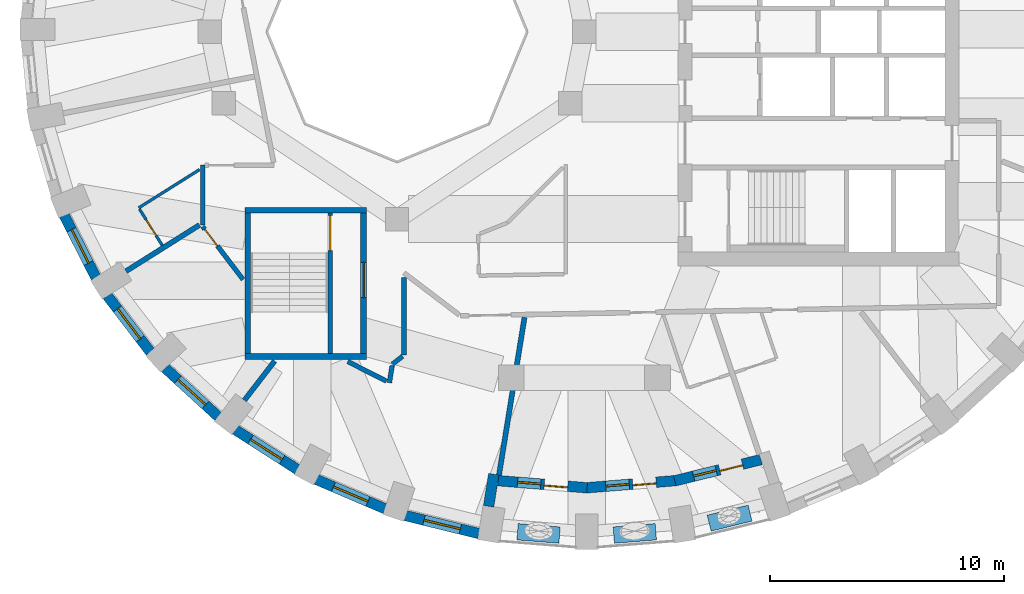
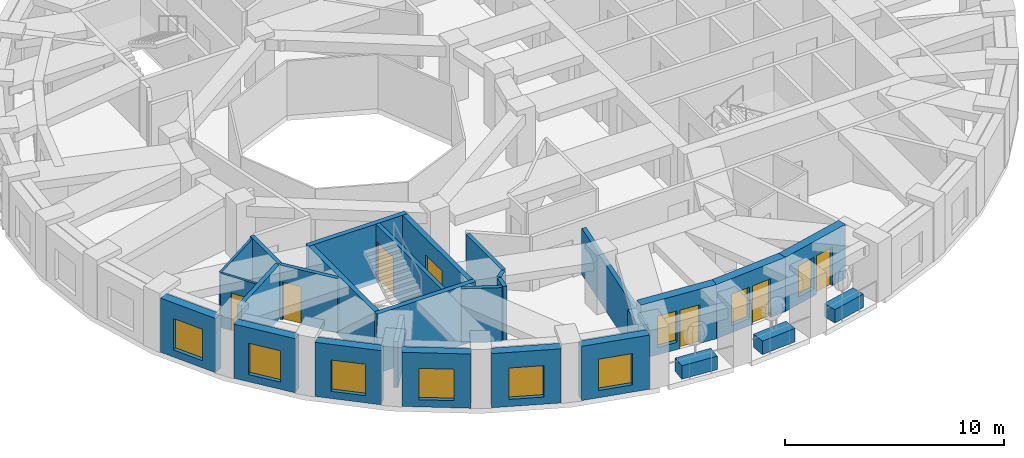
# One storey, part 3 of 11: 29 walls, 9 windows, 7 doors, 16 openings.
"""IFC4 building model written with IfcOpenShell, lengths in metres."""

from ifc_helpers import new_model, si_unit, direction, frame, frame_2d, origin, place, context, subcontext, project, spatial, rectangle, extrude, material, layer, layer_set, constituent, constituent_set, type_object, element, fill, save


model = new_model("IFC4")

# Units and contexts
model_context = context("Model", 3, precision=1e-05, world=origin(), true_north=direction((0.0, 1.0)))
body_context = subcontext(model_context, "Body", "Model", "MODEL_VIEW")
ifc_project = project(units=[si_unit("LENGTHUNIT", "METRE"), si_unit("AREAUNIT", "SQUARE_METRE"), si_unit("VOLUMEUNIT", "CUBIC_METRE"), si_unit("PLANEANGLEUNIT", "RADIAN"), si_unit("MASSUNIT", "GRAM", prefix="KILO")], contexts=[model_context])

# Site, building, storey
site_placement = place(None, origin())
site = spatial("IfcSite", under=ifc_project, at=site_placement, CompositionType="ELEMENT")
building_placement = place(site_placement, origin())
building = spatial("IfcBuilding", under=site, at=building_placement, Name="Taillehof Tower", CompositionType="ELEMENT")
storey_placement = place(building_placement, frame((0.0, 0.0, 158.300048828125)))
storey = spatial("IfcBuildingStorey", under=building, at=storey_placement, Name="L44", CompositionType="ELEMENT", Elevation=158.300048828125)

# Wall, opening, window
ifc_material_1 = material(Name="Brick masonry", Category="masonry")
ifc_layer_1 = layer(ifc_material_1, 0.449951171875)
ifc_layer_set_1 = layer_set([ifc_layer_1], Name="Brick infill wall 450")
wall_type_1 = type_object("IfcWallType", Name="Brick infill wall 450", PredefinedType="SOLIDWALL", material=ifc_layer_set_1)
wall_1_placement = place(storey_placement, frame((-22.21533203125, -7.8369140625, 0.0), z_axis=(0.0, 0.0, 1.0), x_axis=(0.454133999889, -0.890933392653, 0.0)))
wall_1 = element("IfcWall", 1, at=wall_1_placement, inside=storey, type_object=wall_type_1, Name="Brick wall L44 bay 21", PredefinedType="SOLIDWALL", context=body_context, shape_type="SweptSolid", body=[
    extrude(rectangle(XDim=2.98583984375, YDim=0.449951171875, at=frame_2d((1.492919921875, 0.0))), origin(), (0.0, 0.0, 1.0), 3.02001953125),
])
opening_1_placement = place(wall_1_placement, frame((0.69287109375, 0.0, 0.39990234375)))
opening_1 = element("IfcOpeningElement", 2, at=opening_1_placement, cuts=wall_1, Name="Opening W3", PredefinedType="OPENING", context=body_context, shape_type="SweptSolid", body=[
    extrude(rectangle(XDim=1.60009765625, YDim=1.75, at=frame_2d((0.800048828125, 0.875))), frame((0.0, 0.23486328125, 0.0), z_axis=(0.0, -1.0, 0.0), x_axis=(1.0, 0.0, 0.0)), (0.0, 0.0, 1.0), 0.469970703125),
])
ifc_material_2 = material(Name="Aluminium window frame with clear double glazing", Category="aluminium")
window_type_1 = type_object("IfcWindowType", Name="Deep-set window 1600x1750", PartitioningType="SINGLE_PANEL", PredefinedType="WINDOW", material=ifc_material_2)
window_1_placement = place(opening_1_placement, origin())
window_1 = element("IfcWindow", 3, at=window_1_placement, inside=storey, type_object=window_type_1, Name="W3", OverallHeight=1.75, OverallWidth=1.60009765625, PartitioningType="SINGLE_PANEL", PredefinedType="WINDOW", context=body_context, shape_type="SweptSolid", body=[
    extrude(rectangle(XDim=1.60009765625, YDim=1.75, at=frame_2d((0.800048828125, 0.875))), frame((0.0, 0.034912109375, 0.0), z_axis=(0.0, -1.0, 0.0), x_axis=(1.0, 0.0, 0.0)), (0.0, 0.0, 1.0), 0.06005859375),
])
fill(opening_1, window_1)

wall_2_placement = place(storey_placement, frame((-20.3740234375, -11.26708984375, 0.0), z_axis=(0.0, 0.0, 1.0), x_axis=(0.607817056371, -0.794077090706, 0.0)))
wall_2 = element("IfcWall", 4, at=wall_2_placement, inside=storey, type_object=wall_type_1, Name="Brick wall L44 bay 22", PredefinedType="SOLIDWALL", context=body_context, shape_type="SweptSolid", body=[
    extrude(rectangle(XDim=3.037109375, YDim=0.449951171875, at=frame_2d((1.5185546875, 0.0))), origin(), (0.0, 0.0, 1.0), 3.02001953125),
])
opening_2_placement = place(wall_2_placement, frame((0.718505859375, 0.0, 0.39990234375)))
opening_2 = element("IfcOpeningElement", 5, at=opening_2_placement, cuts=wall_2, Name="Opening W3", PredefinedType="OPENING", context=body_context, shape_type="SweptSolid", body=[
    extrude(rectangle(XDim=1.60009765625, YDim=1.75, at=frame_2d((0.800048828125, 0.875))), frame((0.0, 0.23486328125, 0.0), z_axis=(0.0, -1.0, 0.0), x_axis=(1.0, 0.0, 0.0)), (0.0, 0.0, 1.0), 0.469970703125),
])
window_2_placement = place(opening_2_placement, origin())
window_2 = element("IfcWindow", 6, at=window_2_placement, inside=storey, type_object=window_type_1, Name="W3", OverallHeight=1.75, OverallWidth=1.60009765625, PartitioningType="SINGLE_PANEL", PredefinedType="WINDOW", context=body_context, shape_type="SweptSolid", body=[
    extrude(rectangle(XDim=1.60009765625, YDim=1.75, at=frame_2d((0.800048828125, 0.875))), frame((0.0, 0.034912109375, 0.0), z_axis=(0.0, -1.0, 0.0), x_axis=(1.0, 0.0, 0.0)), (0.0, 0.0, 1.0), 0.06005859375),
])
fill(opening_2, window_2)

wall_3_placement = place(storey_placement, frame((-17.913330078125, -14.349853515625, 0.0), z_axis=(0.0, 0.0, 1.0), x_axis=(0.737808755941, -0.675009807082, 0.0)))
wall_3 = element("IfcWall", 7, at=wall_3_placement, inside=storey, type_object=wall_type_1, Name="Brick wall L44 bay 23", PredefinedType="SOLIDWALL", context=body_context, shape_type="SweptSolid", body=[
    extrude(rectangle(XDim=3.094482421875, YDim=0.449951171875, at=frame_2d((1.54736328125, 0.0))), origin(), (0.0, 0.0, 1.0), 3.02001953125),
])
opening_3_placement = place(wall_3_placement, frame((0.747314453125, 0.0, 0.39990234375)))
opening_3 = element("IfcOpeningElement", 8, at=opening_3_placement, cuts=wall_3, Name="Opening W3", PredefinedType="OPENING", context=body_context, shape_type="SweptSolid", body=[
    extrude(rectangle(XDim=1.60009765625, YDim=1.75, at=frame_2d((0.800048828125, 0.875))), frame((0.0, 0.23486328125, 0.0), z_axis=(0.0, -1.0, 0.0), x_axis=(1.0, 0.0, 0.0)), (0.0, 0.0, 1.0), 0.469970703125),
])
window_3_placement = place(opening_3_placement, origin())
window_3 = element("IfcWindow", 9, at=window_3_placement, inside=storey, type_object=window_type_1, Name="W3", OverallHeight=1.75, OverallWidth=1.60009765625, PartitioningType="SINGLE_PANEL", PredefinedType="WINDOW", context=body_context, shape_type="SweptSolid", body=[
    extrude(rectangle(XDim=1.60009765625, YDim=1.75, at=frame_2d((0.800048828125, 0.875))), frame((0.0, 0.034912109375, 0.0), z_axis=(0.0, -1.0, 0.0), x_axis=(1.0, 0.0, 0.0)), (0.0, 0.0, 1.0), 0.06005859375),
])
fill(opening_3, window_3)

wall_4_placement = place(storey_placement, frame((-14.908447265625, -16.993408203125, 0.0), z_axis=(0.0, 0.0, 1.0), x_axis=(0.842065914439, -0.539374633943, 0.0)))
wall_4 = element("IfcWall", 10, at=wall_4_placement, inside=storey, type_object=wall_type_1, Name="Brick wall L44 bay 24", PredefinedType="SOLIDWALL", context=body_context, shape_type="SweptSolid", body=[
    extrude(rectangle(XDim=3.1513671875, YDim=0.449951171875, at=frame_2d((1.57568359375, 0.0))), origin(), (0.0, 0.0, 1.0), 3.02001953125),
])
opening_4_placement = place(wall_4_placement, frame((0.775634765625, 0.0, 0.39990234375)))
opening_4 = element("IfcOpeningElement", 11, at=opening_4_placement, cuts=wall_4, Name="Opening W3", PredefinedType="OPENING", context=body_context, shape_type="SweptSolid", body=[
    extrude(rectangle(XDim=1.60009765625, YDim=1.75, at=frame_2d((0.800048828125, 0.875))), frame((0.0, 0.23486328125, 0.0), z_axis=(0.0, -1.0, 0.0), x_axis=(1.0, 0.0, 0.0)), (0.0, 0.0, 1.0), 0.469970703125),
])
window_4_placement = place(opening_4_placement, origin())
window_4 = element("IfcWindow", 12, at=window_4_placement, inside=storey, type_object=window_type_1, Name="W3", OverallHeight=1.75, OverallWidth=1.60009765625, PartitioningType="SINGLE_PANEL", PredefinedType="WINDOW", context=body_context, shape_type="SweptSolid", body=[
    extrude(rectangle(XDim=1.60009765625, YDim=1.75, at=frame_2d((0.800048828125, 0.875))), frame((0.0, 0.034912109375, 0.0), z_axis=(0.0, -1.0, 0.0), x_axis=(1.0, 0.0, 0.0)), (0.0, 0.0, 1.0), 0.06005859375),
])
fill(opening_4, window_4)

wall_5_placement = place(storey_placement, frame((-11.4501953125, -19.11865234375, 0.0), z_axis=(0.0, 0.0, 1.0), x_axis=(0.919798725687, -0.392390499663, 0.0)))
wall_5 = element("IfcWall", 13, at=wall_5_placement, inside=storey, type_object=wall_type_1, Name="Brick wall L44 bay 25", PredefinedType="SOLIDWALL", context=body_context, shape_type="SweptSolid", body=[
    extrude(rectangle(XDim=3.200439453125, YDim=0.449951171875, at=frame_2d((1.60009765625, 0.0))), origin(), (0.0, 0.0, 1.0), 3.02001953125),
])
opening_5_placement = place(wall_5_placement, frame((0.80029296875, 0.0, 0.39990234375)))
opening_5 = element("IfcOpeningElement", 14, at=opening_5_placement, cuts=wall_5, Name="Opening W3", PredefinedType="OPENING", context=body_context, shape_type="SweptSolid", body=[
    extrude(rectangle(XDim=1.60009765625, YDim=1.75, at=frame_2d((0.800048828125, 0.875))), frame((0.0, 0.23486328125, 0.0), z_axis=(0.0, -1.0, 0.0), x_axis=(1.0, 0.0, 0.0)), (0.0, 0.0, 1.0), 0.469970703125),
])
window_5_placement = place(opening_5_placement, origin())
window_5 = element("IfcWindow", 15, at=window_5_placement, inside=storey, type_object=window_type_1, Name="W3", OverallHeight=1.75, OverallWidth=1.60009765625, PartitioningType="SINGLE_PANEL", PredefinedType="WINDOW", context=body_context, shape_type="SweptSolid", body=[
    extrude(rectangle(XDim=1.60009765625, YDim=1.75, at=frame_2d((0.800048828125, 0.875))), frame((0.0, 0.034912109375, 0.0), z_axis=(0.0, -1.0, 0.0), x_axis=(1.0, 0.0, 0.0)), (0.0, 0.0, 1.0), 0.06005859375),
])
fill(opening_5, window_5)

wall_6_placement = place(storey_placement, frame((-7.642822265625, -20.662353515625, 0.0), z_axis=(0.0, 0.0, 1.0), x_axis=(0.971232901476, -0.238131583563, 0.0)))
wall_6 = element("IfcWall", 16, at=wall_6_placement, inside=storey, type_object=wall_type_1, Name="Brick wall L44 bay 26", PredefinedType="SOLIDWALL", context=body_context, shape_type="SweptSolid", body=[
    extrude(rectangle(XDim=3.236572265625, YDim=0.449951171875, at=frame_2d((1.6181640625, 0.0))), origin(), (0.0, 0.0, 1.0), 3.02001953125),
])
opening_6_placement = place(wall_6_placement, frame((0.818359375, 0.0, 0.39990234375)))
opening_6 = element("IfcOpeningElement", 17, at=opening_6_placement, cuts=wall_6, Name="Opening W3", PredefinedType="OPENING", context=body_context, shape_type="SweptSolid", body=[
    extrude(rectangle(XDim=1.60009765625, YDim=1.75, at=frame_2d((0.800048828125, 0.875))), frame((0.0, 0.23486328125, 0.0), z_axis=(0.0, -1.0, 0.0), x_axis=(1.0, 0.0, 0.0)), (0.0, 0.0, 1.0), 0.469970703125),
])
window_6_placement = place(opening_6_placement, origin())
window_6 = element("IfcWindow", 18, at=window_6_placement, inside=storey, type_object=window_type_1, Name="W3", OverallHeight=1.75, OverallWidth=1.60009765625, PartitioningType="SINGLE_PANEL", PredefinedType="WINDOW", context=body_context, shape_type="SweptSolid", body=[
    extrude(rectangle(XDim=1.60009765625, YDim=1.75, at=frame_2d((0.800048828125, 0.875))), frame((0.0, 0.034912109375, 0.0), z_axis=(0.0, -1.0, 0.0), x_axis=(1.0, 0.0, 0.0)), (0.0, 0.0, 1.0), 0.06005859375),
])
fill(opening_6, window_6)

# Wall
wall_7_placement = place(storey_placement, frame((-4.088134765625, -20.265869140625, 0.0), z_axis=(0.0, 0.0, 1.0), x_axis=(0.159641024018, 0.98717513312, 0.0)))
element("IfcWall", 19, at=wall_7_placement, inside=storey, type_object=wall_type_1, Name="Brick reveal L44 pocket 8", PredefinedType="SOLIDWALL", context=body_context, shape_type="SweptSolid", body=[
    extrude(rectangle(XDim=1.39013671875, YDim=0.449951171875, at=frame_2d((0.695068359375, 0.0))), origin(), (0.0, 0.0, 1.0), 2.570068359375),
])

# Wall, openings, door, window
wall_8_placement = place(storey_placement, frame((-3.68310546875, -19.170654296875, 0.0), z_axis=(0.0, 0.0, 1.0), x_axis=(0.996792437449, -0.080030223316, 0.0)))
wall_8 = element("IfcWall", 20, at=wall_8_placement, inside=storey, type_object=wall_type_1, Name="Brick wall L44 pocket bay 27", PredefinedType="SOLIDWALL", context=body_context, shape_type="SweptSolid", body=[
    extrude(rectangle(XDim=3.813232421875, YDim=0.449951171875, at=frame_2d((1.90673828125, 0.0))), origin(), (0.0, 0.0, 1.0), 3.02001953125),
])
opening_7_placement = place(wall_8_placement, frame((0.83154296875, 0.0, 0.39990234375)))
opening_7 = element("IfcOpeningElement", 21, at=opening_7_placement, cuts=wall_8, Name="Opening W5", PredefinedType="OPENING", context=body_context, shape_type="SweptSolid", body=[
    extrude(rectangle(XDim=1.0, YDim=1.75, at=frame_2d((0.5, 0.875))), frame((0.0, 0.23486328125, 0.0), z_axis=(0.0, -1.0, 0.0), x_axis=(1.0, 0.0, 0.0)), (0.0, 0.0, 1.0), 0.469970703125),
])
opening_8_placement = place(wall_8_placement, frame((1.981689453125, 0.0, 0.0)))
opening_8 = element("IfcOpeningElement", 22, at=opening_8_placement, cuts=wall_8, Name="Opening D4491", PredefinedType="OPENING", context=body_context, shape_type="SweptSolid", body=[
    extrude(rectangle(XDim=1.0, YDim=2.14990234375, at=frame_2d((0.5, 1.074951171875))), frame((0.0, 0.23486328125, 0.0), z_axis=(0.0, -1.0, 0.0), x_axis=(1.0, 0.0, 0.0)), (0.0, 0.0, 1.0), 0.469970703125),
])
ifc_material_3 = material(Name="Aluminium door frame with clear double glazing", Category="aluminium")
door_type_1 = type_object("IfcDoorType", Name="Balcony door 1000x2150", OperationType="SINGLE_SWING_RIGHT", PredefinedType="DOOR", material=ifc_material_3)
door_1_placement = place(opening_8_placement, frame((1.0, 0.0, 0.0), z_axis=(0.0, 0.0, 1.0), x_axis=(-1.0, 0.0, 0.0)))
door_1 = element("IfcDoor", 23, at=door_1_placement, inside=storey, type_object=door_type_1, Name="Balcony door L44 bay 27", OperationType="SINGLE_SWING_RIGHT", OverallHeight=2.14990234375, OverallWidth=1.0, PredefinedType="DOOR", context=body_context, shape_type="SweptSolid", body=[
    extrude(rectangle(XDim=1.0, YDim=2.14990234375, at=frame_2d((0.5, 1.074951171875))), frame((0.0, 0.0751953125, 0.0), z_axis=(0.0, -1.0, 0.0), x_axis=(1.0, 0.0, 0.0)), (0.0, 0.0, 1.0), 0.050048828125),
])
fill(opening_8, door_1)
ifc_material_4 = material(Name="Aluminium window frame with clear double glazing", Category="aluminium")
window_type_2 = type_object("IfcWindowType", Name="Fixed window 1000x1750", PartitioningType="SINGLE_PANEL", PredefinedType="WINDOW", material=ifc_material_4)
window_7_placement = place(opening_7_placement, origin())
window_7 = element("IfcWindow", 24, at=window_7_placement, inside=storey, type_object=window_type_2, Name="W5", OverallHeight=1.75, OverallWidth=1.0, PartitioningType="SINGLE_PANEL", PredefinedType="WINDOW", context=body_context, shape_type="SweptSolid", body=[
    extrude(rectangle(XDim=1.0, YDim=1.75, at=frame_2d((0.5, 0.875))), frame((0.0, 0.034912109375, 0.0), z_axis=(0.0, -1.0, 0.0), x_axis=(1.0, 0.0, 0.0)), (0.0, 0.0, 1.0), 0.06005859375),
])
fill(opening_7, window_7)

wall_9_placement = place(storey_placement, frame((0.08203125, -19.475830078125, 0.0), z_axis=(0.0, 0.0, 1.0), x_axis=(0.996792139022, 0.080033940204, 0.0)))
wall_9 = element("IfcWall", 25, at=wall_9_placement, inside=storey, type_object=wall_type_1, Name="Brick wall L44 pocket bay 28", PredefinedType="SOLIDWALL", context=body_context, shape_type="SweptSolid", body=[
    extrude(rectangle(XDim=3.831298828125, YDim=0.449951171875, at=frame_2d((1.91552734375, 0.0))), origin(), (0.0, 0.0, 1.0), 3.02001953125),
])
opening_9_placement = place(wall_9_placement, frame((0.840576171875, 0.0, 0.39990234375)))
opening_9 = element("IfcOpeningElement", 26, at=opening_9_placement, cuts=wall_9, Name="Opening W5", PredefinedType="OPENING", context=body_context, shape_type="SweptSolid", body=[
    extrude(rectangle(XDim=1.0, YDim=1.75, at=frame_2d((0.5, 0.875))), frame((0.0, 0.23486328125, 0.0), z_axis=(0.0, -1.0, 0.0), x_axis=(1.0, 0.0, 0.0)), (0.0, 0.0, 1.0), 0.469970703125),
])
opening_10_placement = place(wall_9_placement, frame((1.99072265625, 0.0, 0.0)))
opening_10 = element("IfcOpeningElement", 27, at=opening_10_placement, cuts=wall_9, Name="Opening D4492", PredefinedType="OPENING", context=body_context, shape_type="SweptSolid", body=[
    extrude(rectangle(XDim=1.0, YDim=2.14990234375, at=frame_2d((0.5, 1.074951171875))), frame((0.0, 0.23486328125, 0.0), z_axis=(0.0, -1.0, 0.0), x_axis=(1.0, 0.0, 0.0)), (0.0, 0.0, 1.0), 0.469970703125),
])
door_2_placement = place(opening_10_placement, frame((1.0, 0.0, 0.0), z_axis=(0.0, 0.0, 1.0), x_axis=(-1.0, 0.0, 0.0)))
door_2 = element("IfcDoor", 28, at=door_2_placement, inside=storey, type_object=door_type_1, Name="Balcony door L44 bay 28", OperationType="SINGLE_SWING_LEFT", OverallHeight=2.14990234375, OverallWidth=1.0, PredefinedType="DOOR", context=body_context, shape_type="SweptSolid", body=[
    extrude(rectangle(XDim=1.0, YDim=2.14990234375, at=frame_2d((0.5, 1.074951171875))), frame((0.0, 0.0751953125, 0.0), z_axis=(0.0, -1.0, 0.0), x_axis=(1.0, 0.0, 0.0)), (0.0, 0.0, 1.0), 0.050048828125),
])
fill(opening_10, door_2)
window_8_placement = place(opening_9_placement, origin())
window_8 = element("IfcWindow", 29, at=window_8_placement, inside=storey, type_object=window_type_2, Name="W5", OverallHeight=1.75, OverallWidth=1.0, PartitioningType="SINGLE_PANEL", PredefinedType="WINDOW", context=body_context, shape_type="SweptSolid", body=[
    extrude(rectangle(XDim=1.0, YDim=1.75, at=frame_2d((0.5, 0.875))), frame((0.0, 0.034912109375, 0.0), z_axis=(0.0, -1.0, 0.0), x_axis=(1.0, 0.0, 0.0)), (0.0, 0.0, 1.0), 0.06005859375),
])
fill(opening_9, window_8)

wall_10_placement = place(storey_placement, frame((3.865234375, -19.175048828125, 0.0), z_axis=(0.0, 0.0, 1.0), x_axis=(0.97109740077, 0.238683552465, 0.0)))
wall_10 = element("IfcWall", 30, at=wall_10_placement, inside=storey, type_object=wall_type_1, Name="Brick wall L44 pocket bay 29", PredefinedType="SOLIDWALL", context=body_context, shape_type="SweptSolid", body=[
    extrude(rectangle(XDim=3.789794921875, YDim=0.449951171875, at=frame_2d((1.89501953125, 0.0))), origin(), (0.0, 0.0, 1.0), 3.02001953125),
])
opening_11_placement = place(wall_10_placement, frame((0.81982421875, 0.0, 0.39990234375)))
opening_11 = element("IfcOpeningElement", 31, at=opening_11_placement, cuts=wall_10, Name="Opening W5", PredefinedType="OPENING", context=body_context, shape_type="SweptSolid", body=[
    extrude(rectangle(XDim=1.0, YDim=1.75, at=frame_2d((0.5, 0.875))), frame((0.0, 0.23486328125, 0.0), z_axis=(0.0, -1.0, 0.0), x_axis=(1.0, 0.0, 0.0)), (0.0, 0.0, 1.0), 0.469970703125),
])
opening_12_placement = place(wall_10_placement, frame((1.9697265625, 0.0, 0.0)))
opening_12 = element("IfcOpeningElement", 32, at=opening_12_placement, cuts=wall_10, Name="Opening D4493", PredefinedType="OPENING", context=body_context, shape_type="SweptSolid", body=[
    extrude(rectangle(XDim=1.0, YDim=2.14990234375, at=frame_2d((0.5, 1.074951171875))), frame((0.0, 0.23486328125, 0.0), z_axis=(0.0, -1.0, 0.0), x_axis=(1.0, 0.0, 0.0)), (0.0, 0.0, 1.0), 0.469970703125),
])
door_3_placement = place(opening_12_placement, frame((1.0, 0.0, 0.0), z_axis=(0.0, 0.0, 1.0), x_axis=(-1.0, 0.0, 0.0)))
door_3 = element("IfcDoor", 33, at=door_3_placement, inside=storey, type_object=door_type_1, Name="Balcony door L44 bay 29", OperationType="SINGLE_SWING_LEFT", OverallHeight=2.14990234375, OverallWidth=1.0, PredefinedType="DOOR", context=body_context, shape_type="SweptSolid", body=[
    extrude(rectangle(XDim=1.0, YDim=2.14990234375, at=frame_2d((0.5, 1.074951171875))), frame((0.0, 0.0751953125, 0.0), z_axis=(0.0, -1.0, 0.0), x_axis=(1.0, 0.0, 0.0)), (0.0, 0.0, 1.0), 0.050048828125),
])
fill(opening_12, door_3)
window_9_placement = place(opening_11_placement, origin())
window_9 = element("IfcWindow", 34, at=window_9_placement, inside=storey, type_object=window_type_2, Name="W5", OverallHeight=1.75, OverallWidth=1.0, PartitioningType="SINGLE_PANEL", PredefinedType="WINDOW", context=body_context, shape_type="SweptSolid", body=[
    extrude(rectangle(XDim=1.0, YDim=1.75, at=frame_2d((0.5, 0.875))), frame((0.0, 0.034912109375, 0.0), z_axis=(0.0, -1.0, 0.0), x_axis=(1.0, 0.0, 0.0)), (0.0, 0.0, 1.0), 0.06005859375),
])
fill(opening_11, window_9)

# Walls
ifc_material_5 = material(Name="Gypsum board on steel studs, two layers each side", Category="steel")
ifc_layer_2 = layer(ifc_material_5, 0.199951171875)
ifc_layer_set_2 = layer_set([ifc_layer_2], Name="Compartment wall corridor 200")
wall_type_2 = type_object("IfcWallType", Name="Compartment wall corridor 200", PredefinedType="PARTITIONING", material=ifc_layer_set_2)
wall_11_placement = place(storey_placement, frame((-7.699951171875, -10.501220703125, 0.0), z_axis=(0.0, 0.0, 1.0), x_axis=(0.0, -1.0, 0.0)))
element("IfcWall", 35, at=wall_11_placement, inside=storey, type_object=wall_type_2, Name="Compartment wall", PredefinedType="PARTITIONING", context=body_context, shape_type="SweptSolid", body=[
    extrude(rectangle(XDim=3.305908203125, YDim=0.199951171875, at=frame_2d((1.65283203125, 0.0))), origin(), (0.0, 0.0, 1.0), 3.02001953125),
])
wall_12_placement = place(storey_placement, frame((-7.762451171875, -13.85693359375, 0.0), z_axis=(0.0, 0.0, 1.0), x_axis=(-0.787561048704, -0.616236638447, 0.0)))
element("IfcWall", 36, at=wall_12_placement, inside=storey, type_object=wall_type_2, Name="Compartment wall", PredefinedType="PARTITIONING", context=body_context, shape_type="SweptSolid", body=[
    extrude(rectangle(XDim=0.551513671875, YDim=0.199951171875, at=frame_2d((0.27587890625, 0.0))), origin(), (0.0, 0.0, 1.0), 3.02001953125),
])
wall_13_placement = place(storey_placement, frame((-8.206298828125, -14.256103515625, 0.0), z_axis=(0.0, 0.0, 1.0), x_axis=(-0.159750207899, -0.987157470253, 0.0)))
element("IfcWall", 37, at=wall_13_placement, inside=storey, type_object=wall_type_2, Name="Compartment wall", PredefinedType="PARTITIONING", context=body_context, shape_type="SweptSolid", body=[
    extrude(rectangle(XDim=0.7412109375, YDim=0.199951171875, at=frame_2d((0.37060546875, 0.0))), origin(), (0.0, 0.0, 1.0), 3.02001953125),
])
wall_14_placement = place(storey_placement, frame((-8.449462890625, -14.924560546875, 0.0), z_axis=(0.0, 0.0, 1.0), x_axis=(-0.891172770552, 0.45366407509, 0.0)))
element("IfcWall", 38, at=wall_14_placement, inside=storey, type_object=wall_type_2, Name="Compartment wall", PredefinedType="PARTITIONING", context=body_context, shape_type="SweptSolid", body=[
    extrude(rectangle(XDim=1.85888671875, YDim=0.199951171875, at=frame_2d((0.929443359375, 0.0))), origin(), (0.0, 0.0, 1.0), 3.02001953125),
])

# Wall, opening, door
wall_15_placement = place(storey_placement, frame((-14.57373046875, -10.580078125, 0.0), z_axis=(0.0, 0.0, 1.0), x_axis=(-0.606733250298, 0.794905505694, 0.0)))
wall_15 = element("IfcWall", 39, at=wall_15_placement, inside=storey, type_object=wall_type_2, Name="Compartment wall", PredefinedType="PARTITIONING", context=body_context, shape_type="SweptSolid", body=[
    extrude(rectangle(XDim=2.84521484375, YDim=0.199951171875, at=frame_2d((1.422607421875, 0.0))), origin(), (0.0, 0.0, 1.0), 3.02001953125),
])
opening_13_placement = place(wall_15_placement, frame((1.80517578125, 0.0, 0.0)))
opening_13 = element("IfcOpeningElement", 40, at=opening_13_placement, cuts=wall_15, Name="Opening D4450", PredefinedType="OPENING", context=body_context, shape_type="SweptSolid", body=[
    extrude(rectangle(XDim=0.89990234375, YDim=2.10009765625, at=frame_2d((0.449951171875, 1.050048828125))), frame((0.0, 0.10986328125, 0.0), z_axis=(0.0, -1.0, 0.0), x_axis=(1.0, 0.0, 0.0)), (0.0, 0.0, 1.0), 0.219970703125),
])
ifc_material_6 = material(Name="Timber door leaf in steel frame", Category="steel")
door_type_2 = type_object("IfcDoorType", Name="Service room door EI 30 900 x 2100", OperationType="SINGLE_SWING_LEFT", PredefinedType="DOOR", material=ifc_material_6)
door_4_placement = place(opening_13_placement, origin())
door_4 = element("IfcDoor", 41, at=door_4_placement, inside=storey, type_object=door_type_2, Name="D4450", OperationType="SINGLE_SWING_RIGHT", OverallHeight=2.10009765625, OverallWidth=0.89990234375, PredefinedType="DOOR", context=body_context, shape_type="SweptSolid", body=[
    extrude(rectangle(XDim=0.89990234375, YDim=2.10009765625, at=frame_2d((0.449951171875, 1.050048828125))), frame((0.0, 0.02490234375, 0.0), z_axis=(0.0, -1.0, 0.0), x_axis=(1.0, 0.0, 0.0)), (0.0, 0.0, 1.0), 0.050048828125),
])
fill(opening_13, door_4)

# Walls
wall_16_placement = place(storey_placement, frame((-16.300048828125, -8.25830078125, 0.0), z_axis=(0.0, 0.0, 1.0), x_axis=(0.0, 1.0, 0.0)))
element("IfcWall", 42, at=wall_16_placement, inside=storey, type_object=wall_type_2, Name="Compartment wall", PredefinedType="PARTITIONING", context=body_context, shape_type="SweptSolid", body=[
    extrude(rectangle(XDim=2.558349609375, YDim=0.199951171875, at=frame_2d((1.279296875, 0.0))), origin(), (0.0, 0.0, 1.0), 3.02001953125),
])
ifc_material_7 = material(Name="Gypsum board on double steel studs with mineral wool", Category="steel")
ifc_layer_3 = layer(ifc_material_7, 0.219970703125)
ifc_layer_set_3 = layer_set([ifc_layer_3], Name="Compartment wall guest room 220")
wall_type_3 = type_object("IfcWallType", Name="Compartment wall guest room 220", PredefinedType="PARTITIONING", material=ifc_layer_set_3)
wall_17_placement = place(storey_placement, frame((-19.573486328125, -10.2255859375, 0.0), z_axis=(0.0, 0.0, 1.0), x_axis=(0.846352613514, 0.53262299387, 0.0)))
element("IfcWall", 43, at=wall_17_placement, inside=storey, type_object=wall_type_3, Name="Compartment wall", PredefinedType="PARTITIONING", context=body_context, shape_type="SweptSolid", body=[
    extrude(rectangle(XDim=3.709716796875, YDim=0.219970703125, at=frame_2d((1.85498046875, 0.0))), origin(), (0.0, 0.0, 1.0), 3.02001953125),
])
wall_18_placement = place(storey_placement, frame((-14.515869140625, -15.7373046875, 0.0), z_axis=(0.0, 0.0, 1.0), x_axis=(0.609983624648, 0.792414019097, 0.0)))
element("IfcWall", 44, at=wall_18_placement, inside=storey, type_object=wall_type_3, Name="Compartment wall", PredefinedType="PARTITIONING", context=body_context, shape_type="SweptSolid", body=[
    extrude(rectangle(XDim=2.118408203125, YDim=0.219970703125, at=frame_2d((1.05908203125, 0.0))), origin(), (0.0, 0.0, 1.0), 2.570068359375),
])
wall_19_placement = place(storey_placement, frame((-3.64697265625, -18.94775390625, 0.0), z_axis=(0.0, 0.0, 1.0), x_axis=(0.159718523375, 0.98716259719, 0.0)))
element("IfcWall", 45, at=wall_19_placement, inside=storey, type_object=wall_type_3, Name="Compartment wall", PredefinedType="PARTITIONING", context=body_context, shape_type="SweptSolid", body=[
    extrude(rectangle(XDim=6.83740234375, YDim=0.219970703125, at=frame_2d((3.418701171875, 0.0))), origin(), (0.0, 0.0, 1.0), 2.570068359375),
])
ifc_material_8 = material(Name="Gypsum board on steel studs, moisture resistant", Category="steel")
ifc_layer_4 = layer(ifc_material_8, 0.1201171875)
ifc_layer_set_4 = layer_set([ifc_layer_4], Name="En-suite wall 120")
wall_type_4 = type_object("IfcWallType", Name="En-suite wall 120", PredefinedType="PARTITIONING", material=ifc_layer_set_4)
wall_20_placement = place(storey_placement, frame((-16.433837890625, -5.88671875, 0.0), z_axis=(0.0, 0.0, 1.0), x_axis=(-0.846389599206, -0.532564218058, 0.0)))
element("IfcWall", 46, at=wall_20_placement, inside=storey, type_object=wall_type_4, Name="En-suite wall", PredefinedType="PARTITIONING", context=body_context, shape_type="SweptSolid", body=[
    extrude(rectangle(XDim=3.068115234375, YDim=0.1201171875, at=frame_2d((1.5341796875, 0.0))), origin(), (0.0, 0.0, 1.0), 3.02001953125),
])

# Wall, opening, door
wall_21_placement = place(storey_placement, frame((-18.99853515625, -7.5712890625, 0.0), z_axis=(0.0, 0.0, 1.0), x_axis=(0.532431076319, -0.84647335987, 0.0)))
wall_21 = element("IfcWall", 47, at=wall_21_placement, inside=storey, type_object=wall_type_4, Name="En-suite wall", PredefinedType="PARTITIONING", context=body_context, shape_type="SweptSolid", body=[
    extrude(rectangle(XDim=1.830078125, YDim=0.1201171875, at=frame_2d((0.9150390625, 0.0))), origin(), (0.0, 0.0, 1.0), 3.02001953125),
])
opening_14_placement = place(wall_21_placement, frame((0.5400390625, 0.0, 0.0)))
opening_14 = element("IfcOpeningElement", 48, at=opening_14_placement, cuts=wall_21, Name="Opening D4449", PredefinedType="OPENING", context=body_context, shape_type="SweptSolid", body=[
    extrude(rectangle(XDim=0.800048828125, YDim=2.10009765625, at=frame_2d((0.39990234375, 1.050048828125))), frame((0.0, 0.070068359375, 0.0), z_axis=(0.0, -1.0, 0.0), x_axis=(1.0, 0.0, 0.0)), (0.0, 0.0, 1.0), 0.14013671875),
])
ifc_material_9 = material(Name="Timber door leaf in steel frame", Category="steel")
door_type_3 = type_object("IfcDoorType", Name="En-suite door 800 x 2100", OperationType="SINGLE_SWING_LEFT", PredefinedType="DOOR", material=ifc_material_9)
door_5_placement = place(opening_14_placement, origin())
door_5 = element("IfcDoor", 49, at=door_5_placement, inside=storey, type_object=door_type_3, Name="D4449", OperationType="SINGLE_SWING_LEFT", OverallHeight=2.10009765625, OverallWidth=0.800048828125, PredefinedType="DOOR", context=body_context, shape_type="SweptSolid", body=[
    extrude(rectangle(XDim=0.800048828125, YDim=2.10009765625, at=frame_2d((0.39990234375, 1.050048828125))), frame((0.0, 0.02490234375, 0.0), z_axis=(0.0, -1.0, 0.0), x_axis=(1.0, 0.0, 0.0)), (0.0, 0.0, 1.0), 0.050048828125),
])
fill(opening_14, door_5)

# Walls
ifc_material_10 = material(Name="Concrete C30/37 precast", Category="concrete")
ifc_constituent_1 = constituent(ifc_material_10, Name="Structure", Category="concrete")
ifc_material_11 = material(Name="Insulated lining")
ifc_constituent_2 = constituent(ifc_material_11, Name="Lining")
ifc_constituent_set = constituent_set(constituents=[ifc_constituent_1, ifc_constituent_2], Name="Planter trough 700x750")
wall_type_5 = type_object("IfcWallType", Name="Planter trough 700x750", PredefinedType="USERDEFINED", material=ifc_constituent_set)
for number, where, z_axis, x_axis, name in (
    (50, (-2.852294921875, -21.35205078125, 0.0), (0.0, 0.0, 1.0), (0.996814415906, -0.07975600443, 0.0), "Planter L44 bay 27"),
    (51, (1.258056640625, -21.49560546875, 0.0), (0.0, 0.0, 1.0), (0.996814415906, 0.07975600443, 0.0), "Planter L44 bay 28"),
    (52, (5.329345703125, -20.985107421875, 0.0), (0.0, 0.0, 1.0), (0.971249321581, 0.238064603265, 0.0), "Planter L44 bay 29"),
):
    element("IfcWall", number, at=place(storey_placement, frame(where, z_axis=z_axis, x_axis=x_axis)), inside=storey, type_object=wall_type_5, Name=name, ObjectType="PLANTER", PredefinedType="USERDEFINED", context=body_context, shape_type="SweptSolid", body=[
        extrude(rectangle(XDim=1.7998046875, YDim=0.699951171875, at=frame_2d((0.89990234375, 0.0))), origin(), (0.0, 0.0, 1.0), 0.75),
    ])

# Wall, opening, door
ifc_material_12 = material(Name="Concrete C50/60", Category="concrete")
ifc_layer_5 = layer(ifc_material_12, 0.199951171875)
ifc_layer_set_5 = layer_set([ifc_layer_5], Name="Shaft wall C50/60 200")
wall_type_6 = type_object("IfcWallType", Name="Shaft wall C50/60 200", PredefinedType="SHEAR", material=ifc_layer_set_5)
wall_22_placement = place(storey_placement, frame((-10.85009765625, -13.75, 0.0), z_axis=(0.0, 0.0, 1.0), x_axis=(0.0, 1.0, 0.0)))
wall_22 = element("IfcWall", 53, at=wall_22_placement, inside=storey, type_object=wall_type_6, Name="Shaft wall SW", PredefinedType="SHEAR", context=body_context, shape_type="SweptSolid", body=[
    extrude(rectangle(XDim=6.0, YDim=0.199951171875, at=frame_2d((3.0, 0.0))), origin(), (0.0, 0.0, 1.0), 3.02001953125),
])
opening_15_placement = place(wall_22_placement, frame((4.39990234375, 0.0, 0.0)))
opening_15 = element("IfcOpeningElement", 54, at=opening_15_placement, cuts=wall_22, Name="Opening D4413", PredefinedType="OPENING", context=body_context, shape_type="SweptSolid", body=[
    extrude(rectangle(XDim=1.5, YDim=2.10009765625, at=frame_2d((0.75, 1.050048828125))), frame((0.0, 0.10986328125, 0.0), z_axis=(0.0, -1.0, 0.0), x_axis=(1.0, 0.0, 0.0)), (0.0, 0.0, 1.0), 0.219970703125),
])
ifc_material_13 = material(Name="Steel-faced fire door", Category="steel")
door_type_4 = type_object("IfcDoorType", Name="Stair door 1500x2100", OperationType="DOUBLE_DOOR_SINGLE_SWING", PredefinedType="DOOR", material=ifc_material_13)
door_6_placement = place(opening_15_placement, origin())
door_6 = element("IfcDoor", 55, at=door_6_placement, inside=storey, type_object=door_type_4, Name="Stair lobby door S4", OperationType="DOUBLE_DOOR_SINGLE_SWING", OverallHeight=2.10009765625, OverallWidth=1.5, PredefinedType="DOOR", context=body_context, shape_type="SweptSolid", body=[
    extrude(rectangle(XDim=1.5, YDim=2.10009765625, at=frame_2d((0.75, 1.050048828125))), frame((0.0, 0.02490234375, 0.0), z_axis=(0.0, -1.0, 0.0), x_axis=(1.0, 0.0, 0.0)), (0.0, 0.0, 1.0), 0.050048828125),
])
fill(opening_15, door_6)

# Wall
ifc_material_14 = material(Name="Concrete C50/60", Category="concrete")
ifc_layer_6 = layer(ifc_material_14, 0.25)
ifc_layer_set_6 = layer_set([ifc_layer_6], Name="Stair wall C50/60 250")
wall_type_7 = type_object("IfcWallType", Name="Stair wall C50/60 250", PredefinedType="SHEAR", material=ifc_layer_set_6)
wall_23_placement = place(storey_placement, frame((-14.375, -13.75, -0.280029296875), z_axis=(0.0, 0.0, 1.0), x_axis=(0.0, 1.0, 0.0)))
element("IfcWall", 56, at=wall_23_placement, inside=storey, type_object=wall_type_7, Name="Stair wall SC", PredefinedType="SHEAR", context=body_context, shape_type="SweptSolid", body=[
    extrude(rectangle(XDim=6.0, YDim=0.25, at=frame_2d((3.0, 0.0))), origin(), (0.0, 0.0, 1.0), 3.300048828125),
])

# Wall, opening, door
wall_24_placement = place(storey_placement, frame((-9.425048828125, -13.75, -0.280029296875), z_axis=(0.0, 0.0, 1.0), x_axis=(0.0, 1.0, 0.0)))
wall_24 = element("IfcWall", 57, at=wall_24_placement, inside=storey, type_object=wall_type_7, Name="Stair wall SC", PredefinedType="SHEAR", context=body_context, shape_type="SweptSolid", body=[
    extrude(rectangle(XDim=6.0, YDim=0.25, at=frame_2d((3.0, 0.0))), origin(), (0.0, 0.0, 1.0), 3.300048828125),
])
opening_16_placement = place(wall_24_placement, frame((2.39990234375, 0.0, 0.280029296875)))
opening_16 = element("IfcOpeningElement", 58, at=opening_16_placement, cuts=wall_24, Name="Opening D4416", PredefinedType="OPENING", context=body_context, shape_type="SweptSolid", body=[
    extrude(rectangle(XDim=1.5, YDim=2.10009765625, at=frame_2d((0.75, 1.050048828125))), frame((0.0, 0.135009765625, 0.0), z_axis=(0.0, -1.0, 0.0), x_axis=(1.0, 0.0, 0.0)), (0.0, 0.0, 1.0), 0.27001953125),
])
door_7_placement = place(opening_16_placement, origin())
door_7 = element("IfcDoor", 59, at=door_7_placement, inside=storey, type_object=door_type_4, Name="Stair door S4", OperationType="DOUBLE_DOOR_SINGLE_SWING", OverallHeight=2.10009765625, OverallWidth=1.5, PredefinedType="DOOR", context=body_context, shape_type="SweptSolid", body=[
    extrude(rectangle(XDim=1.5, YDim=2.10009765625, at=frame_2d((0.75, 1.050048828125))), frame((0.0, 0.02490234375, 0.0), z_axis=(0.0, -1.0, 0.0), x_axis=(1.0, 0.0, 0.0)), (0.0, 0.0, 1.0), 0.050048828125),
])
fill(opening_16, door_7)

# Walls
for number, where, z_axis, x_axis, name in (
    (60, (-14.5, -7.625, -0.280029296875), (0.0, 0.0, 1.0), (1.0, 0.0, 0.0), "Stair wall SC"),
    (61, (-14.5, -13.875, -0.280029296875), (0.0, 0.0, 1.0), (1.0, 0.0, 0.0), "Stair wall SC"),
):
    element("IfcWall", number, at=place(storey_placement, frame(where, z_axis=z_axis, x_axis=x_axis)), inside=storey, type_object=wall_type_7, Name=name, PredefinedType="SHEAR", context=body_context, shape_type="SweptSolid", body=[
        extrude(rectangle(XDim=5.199951171875, YDim=0.25, at=frame_2d((2.60009765625, 0.0))), origin(), (0.0, 0.0, 1.0), 3.300048828125),
    ])

save(model, "model.ifc")
